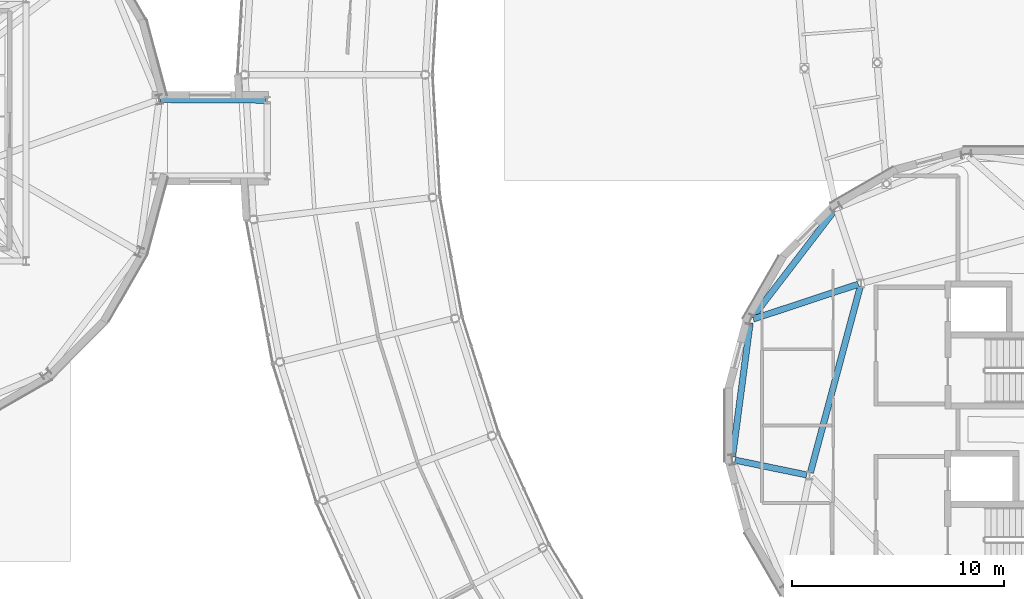
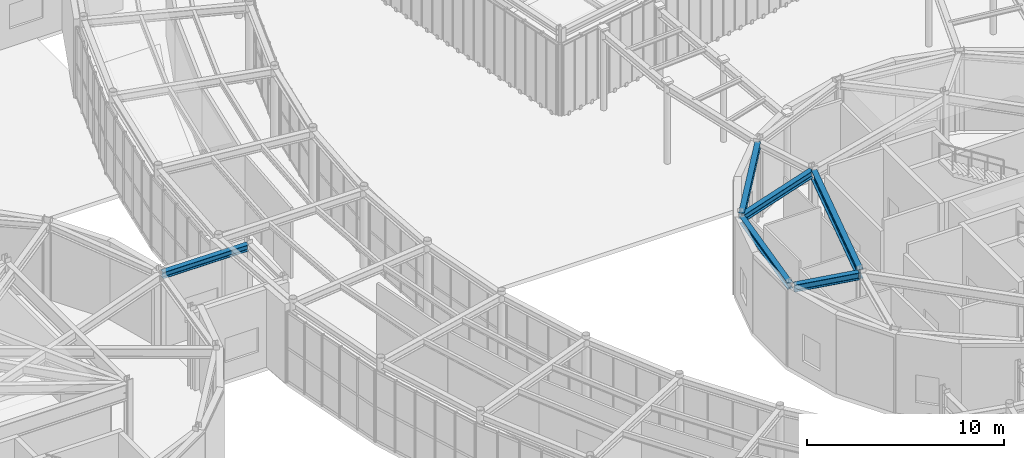
# One storey, part 23 of 97: 6 beams.
"""IFC4 building model written with IfcOpenShell, lengths in metres."""

from ifc_helpers import new_model, si_unit, direction, frame, origin, origin_2d, place, context, subcontext, project, spatial, i_section, extrude, material, material_profile, profile_set, type_object, element, save


model = new_model("IFC4")

# Units and contexts
model_context = context("Model", 3, precision=1e-05, world=origin(), true_north=direction((0.0, 1.0)))
body_context = subcontext(model_context, "Body", "Model", "MODEL_VIEW")
ifc_project = project(units=[si_unit("LENGTHUNIT", "METRE"), si_unit("AREAUNIT", "SQUARE_METRE"), si_unit("VOLUMEUNIT", "CUBIC_METRE"), si_unit("PLANEANGLEUNIT", "RADIAN"), si_unit("MASSUNIT", "GRAM", prefix="KILO")], contexts=[model_context])

# Site, building, storey
site_placement = place(None, origin())
site = spatial("IfcSite", under=ifc_project, at=site_placement, CompositionType="ELEMENT")
building_placement = place(site_placement, origin())
building = spatial("IfcBuilding", under=site, at=building_placement, Name="Varnklinge Art Gallery", CompositionType="ELEMENT")
storey_placement = place(building_placement, origin())
storey = spatial("IfcBuildingStorey", under=building, at=storey_placement, Name="L00", CompositionType="ELEMENT", Elevation=0.0)

# Beams
ifc_material_1 = material(Name="Steel S355", Category="steel")
ifc_material_profile_1 = material_profile(ifc_material_1, i_section(OverallWidth=0.300048828125, OverallDepth=0.590087890625, WebThickness=0.012939453125, FlangeThickness=0.02490234375, FilletRadius=0.027099609375, at=origin_2d()), Name="HEA 600")
ifc_profile_set_1 = profile_set([ifc_material_profile_1], Name="Steel S355")
beam_type_1 = type_object("IfcBeamType", Name="BM-06", PredefinedType="BEAM", material=ifc_profile_set_1)
beam_1_placement = place(storey_placement, frame((68.81689453125, 45.01171875, 4.5849609375), z_axis=(-0.258808787016, -0.965928574877, 0.0), x_axis=(0.965928574877, -0.258808787016, 0.0)))
element("IfcBeam", 1, at=beam_1_placement, inside=storey, type_object=beam_type_1, Name="L00 BM-06 BM-V4D-L01-I3", PredefinedType="BEAM", context=body_context, shape_type="SweptSolid", body=[
    extrude(i_section(OverallWidth=0.300048828125, OverallDepth=0.590087890625, WebThickness=0.012939453125, FlangeThickness=0.02490234375, FilletRadius=0.027099609375, at=origin_2d()), origin(), (0.0, 0.0, 1.0), 9.1201171875),
])
ifc_material_2 = material(Name="Steel S355", Category="steel")
ifc_material_profile_2 = material_profile(ifc_material_2, i_section(OverallWidth=0.300048828125, OverallDepth=0.43994140625, WebThickness=0.011474609375, FlangeThickness=0.02099609375, FilletRadius=0.027099609375, at=origin_2d()), Name="HEA 450")
ifc_profile_set_2 = profile_set([ifc_material_profile_2], Name="Steel S355")
beam_type_2 = type_object("IfcBeamType", Name="BM-08", PredefinedType="BEAM", material=ifc_profile_set_2)
beam_2_placement = place(storey_placement, frame((68.72021484375, 45.102783203125, 4.659912109375), z_axis=(-0.949354152102, -0.314208042366, 0.0), x_axis=(0.314208042366, -0.949354152102, 0.0)))
element("IfcBeam", 2, at=beam_2_placement, inside=storey, type_object=beam_type_2, Name="L00 BM-08 BM-V4D-L01-R06", PredefinedType="BEAM", context=body_context, shape_type="SweptSolid", body=[
    extrude(i_section(OverallWidth=0.300048828125, OverallDepth=0.43994140625, WebThickness=0.011474609375, FlangeThickness=0.02099609375, FilletRadius=0.027099609375, at=origin_2d()), origin(), (0.0, 0.0, 1.0), 5.223876953125),
])
beam_3_placement = place(storey_placement, frame((66.283203125, 36.095458984375, 4.659912109375), z_axis=(-0.979353549328, 0.202154953982, 0.0), x_axis=(-0.202154953982, -0.979353549328, 0.0)))
element("IfcBeam", 3, at=beam_3_placement, inside=storey, type_object=beam_type_2, Name="L00 BM-08 BM-V4D-L01-R07", PredefinedType="BEAM", context=body_context, shape_type="SweptSolid", body=[
    extrude(i_section(OverallWidth=0.300048828125, OverallDepth=0.43994140625, WebThickness=0.011474609375, FlangeThickness=0.02099609375, FilletRadius=0.027099609375, at=origin_2d()), origin(), (0.0, 0.0, 1.0), 3.45751953125),
])
ifc_material_3 = material(Name="Steel S355", Category="steel")
ifc_material_profile_3 = material_profile(ifc_material_3, i_section(OverallWidth=0.300048828125, OverallDepth=0.389892578125, WebThickness=0.010986328125, FlangeThickness=0.01904296875, FilletRadius=0.027099609375, at=origin_2d()), Name="HEA 400")
ifc_profile_set_3 = profile_set([ifc_material_profile_3], Name="Steel S355")
beam_type_3 = type_object("IfcBeamType", Name="BM-09", PredefinedType="BEAM", material=ifc_profile_set_3)
beam_4_placement = place(storey_placement, frame((40.739990234375, 53.80029296875, 4.625), z_axis=(-0.999982696018, 0.005882827901, 0.0), x_axis=(-0.005882827901, -0.999982696018, 0.0)))
element("IfcBeam", 4, at=beam_4_placement, inside=storey, type_object=beam_type_3, Name="L00 BM-09 BM-LNK-V3-L01-3", PredefinedType="BEAM", context=body_context, shape_type="SweptSolid", body=[
    extrude(i_section(OverallWidth=0.300048828125, OverallDepth=0.389892578125, WebThickness=0.010986328125, FlangeThickness=0.01904296875, FilletRadius=0.027099609375, at=origin_2d()), origin(), (0.0, 0.0, 1.0), 4.97998046875),
])
ifc_material_4 = material(Name="Steel S355", Category="steel")
ifc_material_profile_4 = material_profile(ifc_material_4, i_section(OverallWidth=0.300048828125, OverallDepth=0.389892578125, WebThickness=0.010986328125, FlangeThickness=0.01904296875, FilletRadius=0.027099609375, at=origin_2d()), Name="HEA 400")
ifc_profile_set_4 = profile_set([ifc_material_profile_4], Name="Steel S355")
beam_type_4 = type_object("IfcBeamType", Name="SPB-03", PredefinedType="SPANDREL", material=ifc_profile_set_4)
beam_5_placement = place(storey_placement, frame((67.59228515625, 48.58349609375, 4.68505859375), z_axis=(-0.608773359857, -0.793344185287, 0.0), x_axis=(0.793344185287, -0.608773359857, 0.0)))
element("IfcBeam", 5, at=beam_5_placement, inside=storey, type_object=beam_type_4, Name="L00 SPB-03 BM-V4D-L01-P05", PredefinedType="SPANDREL", context=body_context, shape_type="SweptSolid", body=[
    extrude(i_section(OverallWidth=0.300048828125, OverallDepth=0.389892578125, WebThickness=0.010986328125, FlangeThickness=0.01904296875, FilletRadius=0.027099609375, at=origin_2d()), origin(), (0.0, 0.0, 1.0), 6.37158203125),
])
beam_6_placement = place(storey_placement, frame((63.60986328125, 43.27880859375, 4.68505859375), z_axis=(-0.130502087099, -0.991448034575, 0.0), x_axis=(0.991448034575, -0.130502087099, 0.0)))
element("IfcBeam", 6, at=beam_6_placement, inside=storey, type_object=beam_type_4, Name="L00 SPB-03 BM-V4D-L01-P06", PredefinedType="SPANDREL", context=body_context, shape_type="SweptSolid", body=[
    extrude(i_section(OverallWidth=0.300048828125, OverallDepth=0.389892578125, WebThickness=0.010986328125, FlangeThickness=0.01904296875, FilletRadius=0.027099609375, at=origin_2d()), origin(), (0.0, 0.0, 1.0), 6.371826171875),
])

save(model, "model.ifc")
